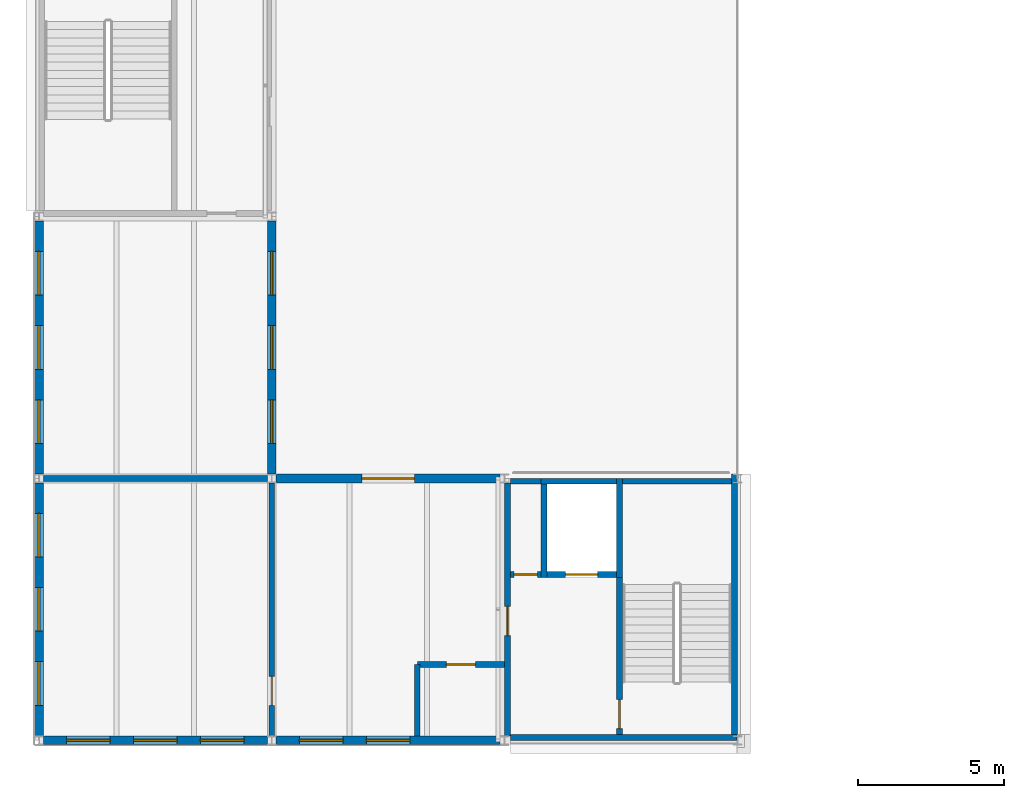
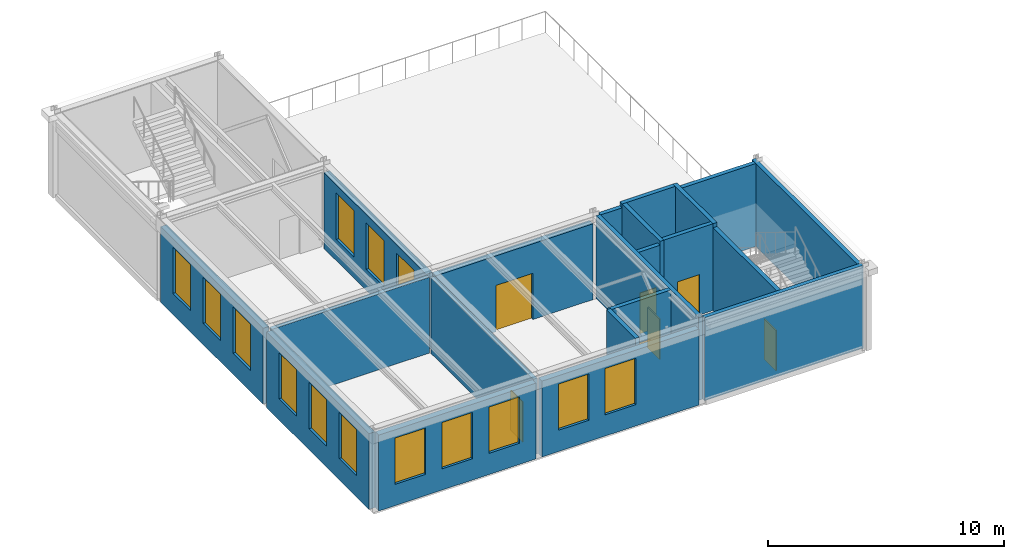
# One storey, part 87 of 149: 21 walls, 14 windows, 7 doors, 21 openings.
"""IFC4 building model written with IfcOpenShell, lengths in metres."""

import ifcopenshell
import ifcopenshell.guid

model = None  # the IFC model being written
_history = None  # IfcOwnerHistory: only IFC2X3 demands one
_inside = {}  # id of a spatial element -> (the spatial element, [elements in it])
_under = {}  # id of a project, library or spatial element -> (it, [spatial elements below it])
_declared = {}  # id of a project -> (the project, [libraries it declares])
_typed = {}  # id of a type object -> (the type object, [elements of that type])
_made_of = {}  # id of a material, layer set ... -> (it, [elements and type objects made of it])


def new_model(schema):
    """Start an empty IFC model of exactly this schema.

    Asked for "IFC4X3", IfcOpenShell would pick the latest addendum, in which some entities
    have other attributes; the version numbers below select the first issue.
    IFC2X3 requires an IfcOwnerHistory on every rooted entity: one is made here for all.
    """
    global model, _history
    if schema == "IFC4X3":
        model = ifcopenshell.file(schema_version=(4, 3, 0, 0))
    else:
        model = ifcopenshell.file(schema=schema)
    _inside.clear()
    _under.clear()
    _declared.clear()
    _typed.clear()
    _made_of.clear()
    _history = None
    if model.schema == "IFC2X3":
        org = make("IfcOrganization", Name="unknown")
        user = make(
            "IfcPersonAndOrganization",
            ThePerson=make("IfcPerson", FamilyName="unknown"),
            TheOrganization=org,
        )
        app = make(
            "IfcApplication",
            ApplicationDeveloper=org,
            Version="unknown",
            ApplicationFullName="unknown",
            ApplicationIdentifier="unknown",
        )
        _history = make(
            "IfcOwnerHistory",
            OwningUser=user,
            OwningApplication=app,
            ChangeAction="ADDED",
            CreationDate=0,
        )
    return model


def make(cls, **values):
    """One entity of the class cls with the attributes given. An attribute that is None is left unset."""
    return model.create_entity(
        cls, **{name: value for name, value in values.items() if value is not None}
    )


def rooted(cls, **values):
    """An entity with a GlobalId (a new one), such as an element, a storey or a relation."""
    return make(cls, GlobalId=ifcopenshell.guid.new(), OwnerHistory=_history, **values)


def si_unit(unit_type, name, prefix=None):
    """IfcSIUnit, for example si_unit("LENGTHUNIT", "METRE", prefix="MILLI")."""
    return make("IfcSIUnit", UnitType=unit_type, Prefix=prefix, Name=name)


def assignment(units):
    """IfcUnitAssignment: the units of a project."""
    return None if units is None else make("IfcUnitAssignment", Units=units)


def point(xyz):
    """IfcCartesianPoint."""
    return None if xyz is None else make("IfcCartesianPoint", Coordinates=xyz)


def direction(xyz):
    """IfcDirection."""
    return None if xyz is None else make("IfcDirection", DirectionRatios=xyz)


def frame(location, z_axis=None, x_axis=None):
    """IfcAxis2Placement3D, a coordinate frame: its origin and axes. An axis left out is left unset."""
    return make(
        "IfcAxis2Placement3D",
        Location=point(location),
        Axis=direction(z_axis),
        RefDirection=direction(x_axis),
    )


def frame_2d(location, x_axis=None):
    """IfcAxis2Placement2D, a coordinate frame in the plane: its origin and x axis."""
    return make(
        "IfcAxis2Placement2D", Location=point(location), RefDirection=direction(x_axis)
    )


def origin():
    """The frame at (0, 0, 0) with its axes left unset."""
    return frame((0.0, 0.0, 0.0))


def place(relative_to, where):
    """IfcLocalPlacement: puts the frame where relative to a parent placement (None: the world)."""
    return make(
        "IfcLocalPlacement", PlacementRelTo=relative_to, RelativePlacement=where
    )


def context(
    kind, dimensions, precision=None, world=None, true_north=None, identifier=None
):
    """IfcGeometricRepresentationContext, for example the 3D "Model" context."""
    return make(
        "IfcGeometricRepresentationContext",
        ContextIdentifier=identifier,
        ContextType=kind,
        CoordinateSpaceDimension=dimensions,
        Precision=precision,
        WorldCoordinateSystem=world,
        TrueNorth=true_north,
    )


def subcontext(parent, identifier, kind, view, scale=None):
    """IfcGeometricRepresentationSubContext, for example "Body" below "Model"."""
    return make(
        "IfcGeometricRepresentationSubContext",
        ContextIdentifier=identifier,
        ContextType=kind,
        ParentContext=parent,
        TargetScale=scale,
        TargetView=view,
    )


def project(units=None, contexts=None):
    """IfcProject with its units and contexts."""
    return rooted(
        "IfcProject",
        Name="project",
        RepresentationContexts=contexts,
        UnitsInContext=assignment(units),
    )


def spatial(cls, under=None, at=None, **own):
    """A site, building, storey or space (cls), placed at a placement, below another one or the project."""
    s = rooted(cls, ObjectPlacement=at, **own)
    if under is not None:
        _under.setdefault(under.id(), (under, []))[1].append(s)
    return s


def profile(cls, at=None, kind="AREA", **sizes):
    """A parametric profile (cls). Its sizes go by their IFC names, for example OverallWidth=200.0."""
    return make(cls, ProfileType=kind, Position=at, **sizes)


def rectangle(**sizes):
    """IfcRectangleProfileDef."""
    return profile("IfcRectangleProfileDef", **sizes)


def extrude(swept, where, along, depth):
    """IfcExtrudedAreaSolid: the profile swept, set in the frame where, extruded along a direction by depth."""
    return make(
        "IfcExtrudedAreaSolid",
        SweptArea=swept,
        Position=where,
        ExtrudedDirection=direction(along),
        Depth=depth,
    )


def shape(context_of_items, identifier, shape_type, items):
    """IfcShapeRepresentation: the items that make up one representation, for example the "Body"."""
    return make(
        "IfcShapeRepresentation",
        ContextOfItems=context_of_items,
        RepresentationIdentifier=identifier,
        RepresentationType=shape_type,
        Items=items,
    )


def material(Name=None, Category=None):
    """IfcMaterial."""
    return make("IfcMaterial", Name=Name, Category=Category)


def layer(
    of_material, thickness, ventilated=None, Name=None, Category=None, Priority=None
):
    """IfcMaterialLayer: one layer of a wall or slab, of a material (None: an air gap)."""
    return make(
        "IfcMaterialLayer",
        Material=of_material,
        LayerThickness=thickness,
        IsVentilated=ventilated,
        Name=Name,
        Category=Category,
        Priority=Priority,
    )


def layer_set(layers, Name=None):
    """IfcMaterialLayerSet."""
    return make("IfcMaterialLayerSet", MaterialLayers=layers, LayerSetName=Name)


def made_of(thing, what):
    """Note that an element or type object is made of a material, layer set ...; save() writes the relation."""
    if what is not None:
        _made_of.setdefault(what.id(), (what, []))[1].append(thing)
    return thing


def type_object(cls, material=None, **own):
    """A type object (cls), such as IfcWallType, which elements share."""
    return made_of(rooted(cls, **own), material)


def element(
    cls,
    number,
    at=None,
    inside=None,
    cuts=None,
    type_object=None,
    material=None,
    context=None,
    identifier="Body",
    shape_type=None,
    held_by="IfcProductDefinitionShape",
    body=None,
    shapes=None,
    **own,
):
    """One element of the class cls, such as IfcWall. Its Tag is "e" and its number.

    at: its placement. inside: the storey or other place that contains it. cuts: it is an
    opening in that element (IfcRelVoidsElement). A single representation is given by context,
    identifier, shape_type and body (its items); several are given by shapes. held_by: the class
    of the entity that holds the representations. save() writes the other relations.
    """
    e = rooted(cls, Tag="e%d" % number, ObjectPlacement=at, **own)
    if body is not None:
        shapes = [shape(context, identifier, shape_type, body)]
    if shapes is not None:
        e.Representation = make(held_by, Representations=shapes)
    if inside is not None:
        _inside.setdefault(inside.id(), (inside, []))[1].append(e)
    if cuts is not None:
        rooted(
            "IfcRelVoidsElement", RelatingBuildingElement=cuts, RelatedOpeningElement=e
        )
    if type_object is not None:
        _typed.setdefault(type_object.id(), (type_object, []))[1].append(e)
    return made_of(e, material)


def fill(opening, filler):
    """IfcRelFillsElement: the door or window that sits in an opening."""
    return rooted(
        "IfcRelFillsElement",
        RelatingOpeningElement=opening,
        RelatedBuildingElement=filler,
    )


def aggregate(whole, parts):
    """IfcRelAggregates: a whole, such as a stair, and the parts it consists of."""
    return rooted("IfcRelAggregates", RelatingObject=whole, RelatedObjects=parts)


def save(model, path):
    """Write the relations noted so far, then the file.

    IfcRelAggregates (storeys below a building ...), IfcRelContainedInSpatialStructure (elements
    in a storey), IfcRelDefinesByType, IfcRelAssociatesMaterial and IfcRelDeclares: one each for
    every whole, place, type object, material and project.
    """
    for whole, parts in _under.values():
        aggregate(whole, parts)
    for where, things in _inside.values():
        rooted(
            "IfcRelContainedInSpatialStructure",
            RelatedElements=things,
            RelatingStructure=where,
        )
    for kind, things in _typed.values():
        rooted("IfcRelDefinesByType", RelatedObjects=things, RelatingType=kind)
    for what, things in _made_of.values():
        rooted("IfcRelAssociatesMaterial", RelatedObjects=things, RelatingMaterial=what)
    for by, libraries in _declared.values():
        rooted("IfcRelDeclares", RelatingContext=by, RelatedDefinitions=libraries)
    model.write(path)


model = new_model("IFC4")

# Units and contexts
model_context = context("Model", 3, precision=1e-05, world=origin(), true_north=direction((0.0, 1.0)))
body_context = subcontext(model_context, "Body", "Model", "MODEL_VIEW")
ifc_project = project(units=[si_unit("LENGTHUNIT", "METRE"), si_unit("AREAUNIT", "SQUARE_METRE"), si_unit("VOLUMEUNIT", "CUBIC_METRE"), si_unit("PLANEANGLEUNIT", "RADIAN"), si_unit("MASSUNIT", "GRAM", prefix="KILO")], contexts=[model_context])

# Site, building, storey
site_placement = place(None, origin())
site = spatial("IfcSite", under=ifc_project, at=site_placement, CompositionType="ELEMENT")
building_placement = place(site_placement, origin())
building = spatial("IfcBuilding", under=site, at=building_placement, Name="Kallimachos Central Library", CompositionType="ELEMENT")
storey_placement = place(building_placement, frame((0.0, 0.0, 9.89990234375)))
storey = spatial("IfcBuildingStorey", under=building, at=storey_placement, Name="L02", CompositionType="ELEMENT", Elevation=9.89990234375)

# Wall, openings, windows
ifc_material_1 = material(Name="Brick masonry with insulation, U 0.45 W/m2K", Category="masonry")
ifc_layer_1 = layer(ifc_material_1, 0.300048828125)
ifc_layer_set_1 = layer_set([ifc_layer_1], Name="Brick wall 300")
wall_type_1 = type_object("IfcWallType", Name="Brick wall 300", PredefinedType="SOLIDWALL", material=ifc_layer_set_1)
wall_1_placement = place(storey_placement, frame((6.14990234375, 9.0, 0.0), z_axis=(0.0, 0.0, 1.0), x_axis=(1.0, 0.0, 0.0)))
wall_1 = element("IfcWall", 1, at=wall_1_placement, inside=storey, type_object=wall_type_1, Name="V6-WAL-L02-005", PredefinedType="SOLIDWALL", context=body_context, shape_type="SweptSolid", body=[
    extrude(rectangle(XDim=7.7001953125, YDim=0.300048828125, at=frame_2d((3.85009765625, 0.0))), origin(), (0.0, 0.0, 1.0), 3.93017578125),
])
opening_1_placement = place(wall_1_placement, frame((0.800048828125, 0.0, 1.10009765625)))
opening_1 = element("IfcOpeningElement", 2, at=opening_1_placement, cuts=wall_1, Name="Opening WT11", PredefinedType="OPENING", context=body_context, shape_type="SweptSolid", body=[
    extrude(rectangle(XDim=1.5, YDim=2.39990234375, at=frame_2d((0.75, 1.199951171875))), frame((0.0, 0.159912109375, 0.0), z_axis=(0.0, -1.0, 0.0), x_axis=(1.0, 0.0, 0.0)), (0.0, 0.0, 1.0), 0.320068359375),
])
opening_2_placement = place(wall_1_placement, frame((3.10009765625, 0.0, 1.10009765625)))
opening_2 = element("IfcOpeningElement", 3, at=opening_2_placement, cuts=wall_1, Name="Opening WT11", PredefinedType="OPENING", context=body_context, shape_type="SweptSolid", body=[
    extrude(rectangle(XDim=1.5, YDim=2.39990234375, at=frame_2d((0.75, 1.199951171875))), frame((0.0, 0.159912109375, 0.0), z_axis=(0.0, -1.0, 0.0), x_axis=(1.0, 0.0, 0.0)), (0.0, 0.0, 1.0), 0.320068359375),
])
opening_3_placement = place(wall_1_placement, frame((5.39990234375, 0.0, 1.10009765625)))
opening_3 = element("IfcOpeningElement", 4, at=opening_3_placement, cuts=wall_1, Name="Opening WT11", PredefinedType="OPENING", context=body_context, shape_type="SweptSolid", body=[
    extrude(rectangle(XDim=1.5, YDim=2.39990234375, at=frame_2d((0.75, 1.199951171875))), frame((0.0, 0.159912109375, 0.0), z_axis=(0.0, -1.0, 0.0), x_axis=(1.0, 0.0, 0.0)), (0.0, 0.0, 1.0), 0.320068359375),
])
ifc_material_2 = material(Name="Anodised aluminium and laminated glass", Category="aluminium")
window_type = type_object("IfcWindowType", Name="Attic window 1500 x 2400", PartitioningType="SINGLE_PANEL", PredefinedType="WINDOW", material=ifc_material_2)
window_1_placement = place(opening_1_placement, origin())
window_1 = element("IfcWindow", 5, at=window_1_placement, inside=storey, type_object=window_type, Name="V6-WIN-L02-001", OverallHeight=2.39990234375, OverallWidth=1.5, PartitioningType="SINGLE_PANEL", PredefinedType="WINDOW", context=body_context, shape_type="SweptSolid", body=[
    extrude(rectangle(XDim=1.5, YDim=2.39990234375, at=frame_2d((0.75, 1.199951171875))), frame((0.0, 0.030029296875, 0.0), z_axis=(0.0, -1.0, 0.0), x_axis=(1.0, 0.0, 0.0)), (0.0, 0.0, 1.0), 0.06005859375),
])
fill(opening_1, window_1)
window_2_placement = place(opening_2_placement, origin())
window_2 = element("IfcWindow", 6, at=window_2_placement, inside=storey, type_object=window_type, Name="V6-WIN-L02-002", OverallHeight=2.39990234375, OverallWidth=1.5, PartitioningType="SINGLE_PANEL", PredefinedType="WINDOW", context=body_context, shape_type="SweptSolid", body=[
    extrude(rectangle(XDim=1.5, YDim=2.39990234375, at=frame_2d((0.75, 1.199951171875))), frame((0.0, 0.030029296875, 0.0), z_axis=(0.0, -1.0, 0.0), x_axis=(1.0, 0.0, 0.0)), (0.0, 0.0, 1.0), 0.06005859375),
])
fill(opening_2, window_2)
window_3_placement = place(opening_3_placement, origin())
window_3 = element("IfcWindow", 7, at=window_3_placement, inside=storey, type_object=window_type, Name="V6-WIN-L02-003", OverallHeight=2.39990234375, OverallWidth=1.5, PartitioningType="SINGLE_PANEL", PredefinedType="WINDOW", context=body_context, shape_type="SweptSolid", body=[
    extrude(rectangle(XDim=1.5, YDim=2.39990234375, at=frame_2d((0.75, 1.199951171875))), frame((0.0, 0.030029296875, 0.0), z_axis=(0.0, -1.0, 0.0), x_axis=(1.0, 0.0, 0.0)), (0.0, 0.0, 1.0), 0.06005859375),
])
fill(opening_3, window_3)

wall_2_placement = place(storey_placement, frame((14.14990234375, 9.0, 0.0), z_axis=(0.0, 0.0, 1.0), x_axis=(1.0, 0.0, 0.0)))
wall_2 = element("IfcWall", 8, at=wall_2_placement, inside=storey, type_object=wall_type_1, Name="V6-WAL-L02-006", PredefinedType="SOLIDWALL", context=body_context, shape_type="SweptSolid", body=[
    extrude(rectangle(XDim=7.7001953125, YDim=0.300048828125, at=frame_2d((3.85009765625, 0.0))), origin(), (0.0, 0.0, 1.0), 3.93017578125),
])
opening_4_placement = place(wall_2_placement, frame((0.800048828125, 0.0, 1.10009765625)))
opening_4 = element("IfcOpeningElement", 9, at=opening_4_placement, cuts=wall_2, Name="Opening WT11", PredefinedType="OPENING", context=body_context, shape_type="SweptSolid", body=[
    extrude(rectangle(XDim=1.5, YDim=2.39990234375, at=frame_2d((0.75, 1.199951171875))), frame((0.0, 0.159912109375, 0.0), z_axis=(0.0, -1.0, 0.0), x_axis=(1.0, 0.0, 0.0)), (0.0, 0.0, 1.0), 0.320068359375),
])
opening_5_placement = place(wall_2_placement, frame((3.10009765625, 0.0, 1.10009765625)))
opening_5 = element("IfcOpeningElement", 10, at=opening_5_placement, cuts=wall_2, Name="Opening WT11", PredefinedType="OPENING", context=body_context, shape_type="SweptSolid", body=[
    extrude(rectangle(XDim=1.5, YDim=2.39990234375, at=frame_2d((0.75, 1.199951171875))), frame((0.0, 0.159912109375, 0.0), z_axis=(0.0, -1.0, 0.0), x_axis=(1.0, 0.0, 0.0)), (0.0, 0.0, 1.0), 0.320068359375),
])
window_4_placement = place(opening_4_placement, origin())
window_4 = element("IfcWindow", 11, at=window_4_placement, inside=storey, type_object=window_type, Name="V6-WIN-L02-004", OverallHeight=2.39990234375, OverallWidth=1.5, PartitioningType="SINGLE_PANEL", PredefinedType="WINDOW", context=body_context, shape_type="SweptSolid", body=[
    extrude(rectangle(XDim=1.5, YDim=2.39990234375, at=frame_2d((0.75, 1.199951171875))), frame((0.0, 0.030029296875, 0.0), z_axis=(0.0, -1.0, 0.0), x_axis=(1.0, 0.0, 0.0)), (0.0, 0.0, 1.0), 0.06005859375),
])
fill(opening_4, window_4)
window_5_placement = place(opening_5_placement, origin())
window_5 = element("IfcWindow", 12, at=window_5_placement, inside=storey, type_object=window_type, Name="V6-WIN-L02-005", OverallHeight=2.39990234375, OverallWidth=1.5, PartitioningType="SINGLE_PANEL", PredefinedType="WINDOW", context=body_context, shape_type="SweptSolid", body=[
    extrude(rectangle(XDim=1.5, YDim=2.39990234375, at=frame_2d((0.75, 1.199951171875))), frame((0.0, 0.030029296875, 0.0), z_axis=(0.0, -1.0, 0.0), x_axis=(1.0, 0.0, 0.0)), (0.0, 0.0, 1.0), 0.06005859375),
])
fill(opening_5, window_5)

wall_3_placement = place(storey_placement, frame((6.0, 9.14990234375, 0.0), z_axis=(0.0, 0.0, 1.0), x_axis=(0.0, 1.0, 0.0)))
wall_3 = element("IfcWall", 13, at=wall_3_placement, inside=storey, type_object=wall_type_1, Name="V6-WAL-L02-007", PredefinedType="SOLIDWALL", context=body_context, shape_type="SweptSolid", body=[
    extrude(rectangle(XDim=8.7001953125, YDim=0.300048828125, at=frame_2d((4.35009765625, 0.0))), origin(), (0.0, 0.0, 1.0), 3.93017578125),
])
opening_6_placement = place(wall_3_placement, frame((1.050048828125, 0.0, 1.10009765625)))
opening_6 = element("IfcOpeningElement", 14, at=opening_6_placement, cuts=wall_3, Name="Opening WT11", PredefinedType="OPENING", context=body_context, shape_type="SweptSolid", body=[
    extrude(rectangle(XDim=1.5, YDim=2.39990234375, at=frame_2d((0.75, 1.199951171875))), frame((0.0, 0.159912109375, 0.0), z_axis=(0.0, -1.0, 0.0), x_axis=(1.0, 0.0, 0.0)), (0.0, 0.0, 1.0), 0.320068359375),
])
opening_7_placement = place(wall_3_placement, frame((3.60009765625, 0.0, 1.10009765625)))
opening_7 = element("IfcOpeningElement", 15, at=opening_7_placement, cuts=wall_3, Name="Opening WT11", PredefinedType="OPENING", context=body_context, shape_type="SweptSolid", body=[
    extrude(rectangle(XDim=1.5, YDim=2.39990234375, at=frame_2d((0.75, 1.199951171875))), frame((0.0, 0.159912109375, 0.0), z_axis=(0.0, -1.0, 0.0), x_axis=(1.0, 0.0, 0.0)), (0.0, 0.0, 1.0), 0.320068359375),
])
opening_8_placement = place(wall_3_placement, frame((6.14990234375, 0.0, 1.10009765625)))
opening_8 = element("IfcOpeningElement", 16, at=opening_8_placement, cuts=wall_3, Name="Opening WT11", PredefinedType="OPENING", context=body_context, shape_type="SweptSolid", body=[
    extrude(rectangle(XDim=1.5, YDim=2.39990234375, at=frame_2d((0.75, 1.199951171875))), frame((0.0, 0.159912109375, 0.0), z_axis=(0.0, -1.0, 0.0), x_axis=(1.0, 0.0, 0.0)), (0.0, 0.0, 1.0), 0.320068359375),
])
window_6_placement = place(opening_6_placement, origin())
window_6 = element("IfcWindow", 17, at=window_6_placement, inside=storey, type_object=window_type, Name="V6-WIN-L02-006", OverallHeight=2.39990234375, OverallWidth=1.5, PartitioningType="SINGLE_PANEL", PredefinedType="WINDOW", context=body_context, shape_type="SweptSolid", body=[
    extrude(rectangle(XDim=1.5, YDim=2.39990234375, at=frame_2d((0.75, 1.199951171875))), frame((0.0, 0.030029296875, 0.0), z_axis=(0.0, -1.0, 0.0), x_axis=(1.0, 0.0, 0.0)), (0.0, 0.0, 1.0), 0.06005859375),
])
fill(opening_6, window_6)
window_7_placement = place(opening_7_placement, origin())
window_7 = element("IfcWindow", 18, at=window_7_placement, inside=storey, type_object=window_type, Name="V6-WIN-L02-007", OverallHeight=2.39990234375, OverallWidth=1.5, PartitioningType="SINGLE_PANEL", PredefinedType="WINDOW", context=body_context, shape_type="SweptSolid", body=[
    extrude(rectangle(XDim=1.5, YDim=2.39990234375, at=frame_2d((0.75, 1.199951171875))), frame((0.0, 0.030029296875, 0.0), z_axis=(0.0, -1.0, 0.0), x_axis=(1.0, 0.0, 0.0)), (0.0, 0.0, 1.0), 0.06005859375),
])
fill(opening_7, window_7)
window_8_placement = place(opening_8_placement, origin())
window_8 = element("IfcWindow", 19, at=window_8_placement, inside=storey, type_object=window_type, Name="V6-WIN-L02-008", OverallHeight=2.39990234375, OverallWidth=1.5, PartitioningType="SINGLE_PANEL", PredefinedType="WINDOW", context=body_context, shape_type="SweptSolid", body=[
    extrude(rectangle(XDim=1.5, YDim=2.39990234375, at=frame_2d((0.75, 1.199951171875))), frame((0.0, 0.030029296875, 0.0), z_axis=(0.0, -1.0, 0.0), x_axis=(1.0, 0.0, 0.0)), (0.0, 0.0, 1.0), 0.06005859375),
])
fill(opening_8, window_8)

wall_4_placement = place(storey_placement, frame((6.0, 18.14990234375, 0.0), z_axis=(0.0, 0.0, 1.0), x_axis=(0.0, 1.0, 0.0)))
wall_4 = element("IfcWall", 20, at=wall_4_placement, inside=storey, type_object=wall_type_1, Name="V6-WAL-L02-008", PredefinedType="SOLIDWALL", context=body_context, shape_type="SweptSolid", body=[
    extrude(rectangle(XDim=8.7001953125, YDim=0.300048828125, at=frame_2d((4.35009765625, 0.0))), origin(), (0.0, 0.0, 1.0), 3.93017578125),
])
opening_9_placement = place(wall_4_placement, frame((1.050048828125, 0.0, 1.10009765625)))
opening_9 = element("IfcOpeningElement", 21, at=opening_9_placement, cuts=wall_4, Name="Opening WT11", PredefinedType="OPENING", context=body_context, shape_type="SweptSolid", body=[
    extrude(rectangle(XDim=1.5, YDim=2.39990234375, at=frame_2d((0.75, 1.199951171875))), frame((0.0, 0.159912109375, 0.0), z_axis=(0.0, -1.0, 0.0), x_axis=(1.0, 0.0, 0.0)), (0.0, 0.0, 1.0), 0.320068359375),
])
opening_10_placement = place(wall_4_placement, frame((3.60009765625, 0.0, 1.10009765625)))
opening_10 = element("IfcOpeningElement", 22, at=opening_10_placement, cuts=wall_4, Name="Opening WT11", PredefinedType="OPENING", context=body_context, shape_type="SweptSolid", body=[
    extrude(rectangle(XDim=1.5, YDim=2.39990234375, at=frame_2d((0.75, 1.199951171875))), frame((0.0, 0.159912109375, 0.0), z_axis=(0.0, -1.0, 0.0), x_axis=(1.0, 0.0, 0.0)), (0.0, 0.0, 1.0), 0.320068359375),
])
opening_11_placement = place(wall_4_placement, frame((6.14990234375, 0.0, 1.10009765625)))
opening_11 = element("IfcOpeningElement", 23, at=opening_11_placement, cuts=wall_4, Name="Opening WT11", PredefinedType="OPENING", context=body_context, shape_type="SweptSolid", body=[
    extrude(rectangle(XDim=1.5, YDim=2.39990234375, at=frame_2d((0.75, 1.199951171875))), frame((0.0, 0.159912109375, 0.0), z_axis=(0.0, -1.0, 0.0), x_axis=(1.0, 0.0, 0.0)), (0.0, 0.0, 1.0), 0.320068359375),
])
window_9_placement = place(opening_9_placement, origin())
window_9 = element("IfcWindow", 24, at=window_9_placement, inside=storey, type_object=window_type, Name="V6-WIN-L02-009", OverallHeight=2.39990234375, OverallWidth=1.5, PartitioningType="SINGLE_PANEL", PredefinedType="WINDOW", context=body_context, shape_type="SweptSolid", body=[
    extrude(rectangle(XDim=1.5, YDim=2.39990234375, at=frame_2d((0.75, 1.199951171875))), frame((0.0, 0.030029296875, 0.0), z_axis=(0.0, -1.0, 0.0), x_axis=(1.0, 0.0, 0.0)), (0.0, 0.0, 1.0), 0.06005859375),
])
fill(opening_9, window_9)
window_10_placement = place(opening_10_placement, origin())
window_10 = element("IfcWindow", 25, at=window_10_placement, inside=storey, type_object=window_type, Name="V6-WIN-L02-010", OverallHeight=2.39990234375, OverallWidth=1.5, PartitioningType="SINGLE_PANEL", PredefinedType="WINDOW", context=body_context, shape_type="SweptSolid", body=[
    extrude(rectangle(XDim=1.5, YDim=2.39990234375, at=frame_2d((0.75, 1.199951171875))), frame((0.0, 0.030029296875, 0.0), z_axis=(0.0, -1.0, 0.0), x_axis=(1.0, 0.0, 0.0)), (0.0, 0.0, 1.0), 0.06005859375),
])
fill(opening_10, window_10)
window_11_placement = place(opening_11_placement, origin())
window_11 = element("IfcWindow", 26, at=window_11_placement, inside=storey, type_object=window_type, Name="V6-WIN-L02-011", OverallHeight=2.39990234375, OverallWidth=1.5, PartitioningType="SINGLE_PANEL", PredefinedType="WINDOW", context=body_context, shape_type="SweptSolid", body=[
    extrude(rectangle(XDim=1.5, YDim=2.39990234375, at=frame_2d((0.75, 1.199951171875))), frame((0.0, 0.030029296875, 0.0), z_axis=(0.0, -1.0, 0.0), x_axis=(1.0, 0.0, 0.0)), (0.0, 0.0, 1.0), 0.06005859375),
])
fill(opening_11, window_11)

wall_5_placement = place(storey_placement, frame((14.0, 18.14990234375, 0.0), z_axis=(0.0, 0.0, 1.0), x_axis=(0.0, 1.0, 0.0)))
wall_5 = element("IfcWall", 27, at=wall_5_placement, inside=storey, type_object=wall_type_1, Name="V6-WAL-L02-009", PredefinedType="SOLIDWALL", context=body_context, shape_type="SweptSolid", body=[
    extrude(rectangle(XDim=8.7001953125, YDim=0.300048828125, at=frame_2d((4.35009765625, 0.0))), origin(), (0.0, 0.0, 1.0), 3.93017578125),
])
opening_12_placement = place(wall_5_placement, frame((1.050048828125, 0.0, 1.10009765625)))
opening_12 = element("IfcOpeningElement", 28, at=opening_12_placement, cuts=wall_5, Name="Opening WT11", PredefinedType="OPENING", context=body_context, shape_type="SweptSolid", body=[
    extrude(rectangle(XDim=1.5, YDim=2.39990234375, at=frame_2d((0.75, 1.199951171875))), frame((0.0, 0.159912109375, 0.0), z_axis=(0.0, -1.0, 0.0), x_axis=(1.0, 0.0, 0.0)), (0.0, 0.0, 1.0), 0.320068359375),
])
opening_13_placement = place(wall_5_placement, frame((3.60009765625, 0.0, 1.10009765625)))
opening_13 = element("IfcOpeningElement", 29, at=opening_13_placement, cuts=wall_5, Name="Opening WT11", PredefinedType="OPENING", context=body_context, shape_type="SweptSolid", body=[
    extrude(rectangle(XDim=1.5, YDim=2.39990234375, at=frame_2d((0.75, 1.199951171875))), frame((0.0, 0.159912109375, 0.0), z_axis=(0.0, -1.0, 0.0), x_axis=(1.0, 0.0, 0.0)), (0.0, 0.0, 1.0), 0.320068359375),
])
opening_14_placement = place(wall_5_placement, frame((6.14990234375, 0.0, 1.10009765625)))
opening_14 = element("IfcOpeningElement", 30, at=opening_14_placement, cuts=wall_5, Name="Opening WT11", PredefinedType="OPENING", context=body_context, shape_type="SweptSolid", body=[
    extrude(rectangle(XDim=1.5, YDim=2.39990234375, at=frame_2d((0.75, 1.199951171875))), frame((0.0, 0.159912109375, 0.0), z_axis=(0.0, -1.0, 0.0), x_axis=(1.0, 0.0, 0.0)), (0.0, 0.0, 1.0), 0.320068359375),
])
window_12_placement = place(opening_12_placement, origin())
window_12 = element("IfcWindow", 31, at=window_12_placement, inside=storey, type_object=window_type, Name="V6-WIN-L02-012", OverallHeight=2.39990234375, OverallWidth=1.5, PartitioningType="SINGLE_PANEL", PredefinedType="WINDOW", context=body_context, shape_type="SweptSolid", body=[
    extrude(rectangle(XDim=1.5, YDim=2.39990234375, at=frame_2d((0.75, 1.199951171875))), frame((0.0, 0.030029296875, 0.0), z_axis=(0.0, -1.0, 0.0), x_axis=(1.0, 0.0, 0.0)), (0.0, 0.0, 1.0), 0.06005859375),
])
fill(opening_12, window_12)
window_13_placement = place(opening_13_placement, origin())
window_13 = element("IfcWindow", 32, at=window_13_placement, inside=storey, type_object=window_type, Name="V6-WIN-L02-013", OverallHeight=2.39990234375, OverallWidth=1.5, PartitioningType="SINGLE_PANEL", PredefinedType="WINDOW", context=body_context, shape_type="SweptSolid", body=[
    extrude(rectangle(XDim=1.5, YDim=2.39990234375, at=frame_2d((0.75, 1.199951171875))), frame((0.0, 0.030029296875, 0.0), z_axis=(0.0, -1.0, 0.0), x_axis=(1.0, 0.0, 0.0)), (0.0, 0.0, 1.0), 0.06005859375),
])
fill(opening_13, window_13)
window_14_placement = place(opening_14_placement, origin())
window_14 = element("IfcWindow", 33, at=window_14_placement, inside=storey, type_object=window_type, Name="V6-WIN-L02-014", OverallHeight=2.39990234375, OverallWidth=1.5, PartitioningType="SINGLE_PANEL", PredefinedType="WINDOW", context=body_context, shape_type="SweptSolid", body=[
    extrude(rectangle(XDim=1.5, YDim=2.39990234375, at=frame_2d((0.75, 1.199951171875))), frame((0.0, 0.030029296875, 0.0), z_axis=(0.0, -1.0, 0.0), x_axis=(1.0, 0.0, 0.0)), (0.0, 0.0, 1.0), 0.06005859375),
])
fill(opening_14, window_14)

# Wall, opening, door
wall_6_placement = place(storey_placement, frame((14.14990234375, 18.0, 0.0), z_axis=(0.0, 0.0, 1.0), x_axis=(1.0, 0.0, 0.0)))
wall_6 = element("IfcWall", 34, at=wall_6_placement, inside=storey, type_object=wall_type_1, Name="V6-WAL-L02-010", PredefinedType="SOLIDWALL", context=body_context, shape_type="SweptSolid", body=[
    extrude(rectangle(XDim=7.7001953125, YDim=0.300048828125, at=frame_2d((3.85009765625, 0.0))), origin(), (0.0, 0.0, 1.0), 3.93017578125),
])
opening_15_placement = place(wall_6_placement, frame((2.949951171875, 0.0, 0.0)))
opening_15 = element("IfcOpeningElement", 35, at=opening_15_placement, cuts=wall_6, Name="Opening D77", PredefinedType="OPENING", context=body_context, shape_type="SweptSolid", body=[
    extrude(rectangle(XDim=1.800048828125, YDim=2.39990234375, at=frame_2d((0.89990234375, 1.199951171875))), frame((0.0, 0.159912109375, 0.0), z_axis=(0.0, -1.0, 0.0), x_axis=(1.0, 0.0, 0.0)), (0.0, 0.0, 1.0), 0.320068359375),
])
ifc_material_3 = material(Name="Anodised aluminium and laminated glass", Category="aluminium")
door_type_1 = type_object("IfcDoorType", Name="Garden door 1800 x 2400", OperationType="DOUBLE_DOOR_SINGLE_SWING", PredefinedType="DOOR", material=ifc_material_3)
door_1_placement = place(opening_15_placement, origin())
door_1 = element("IfcDoor", 36, at=door_1_placement, inside=storey, type_object=door_type_1, Name="Garden Door", OperationType="DOUBLE_DOOR_SINGLE_SWING", OverallHeight=2.39990234375, OverallWidth=1.800048828125, PredefinedType="DOOR", context=body_context, shape_type="SweptSolid", body=[
    extrude(rectangle(XDim=1.800048828125, YDim=2.39990234375, at=frame_2d((0.89990234375, 1.199951171875))), frame((0.0, 0.02490234375, 0.0), z_axis=(0.0, -1.0, 0.0), x_axis=(1.0, 0.0, 0.0)), (0.0, 0.0, 1.0), 0.050048828125),
])
fill(opening_15, door_1)

ifc_material_4 = material(Name="Concrete C30/37", Category="concrete")
ifc_layer_2 = layer(ifc_material_4, 0.199951171875)
ifc_layer_set_2 = layer_set([ifc_layer_2], Name="Core wall 200")
wall_type_2 = type_object("IfcWallType", Name="Core wall 200", PredefinedType="SOLIDWALL", material=ifc_layer_set_2)
wall_7_placement = place(storey_placement, frame((22.10009765625, 9.14990234375, 0.0), z_axis=(0.0, 0.0, 1.0), x_axis=(0.0, 1.0, 0.0)))
wall_7 = element("IfcWall", 37, at=wall_7_placement, inside=storey, type_object=wall_type_2, Name="V6-WAL-L02-013", PredefinedType="SOLIDWALL", context=body_context, shape_type="SweptSolid", body=[
    extrude(rectangle(XDim=8.7001953125, YDim=0.199951171875, at=frame_2d((4.35009765625, 0.0))), origin(), (0.0, 0.0, 1.0), 4.300048828125),
])
opening_16_placement = place(wall_7_placement, frame((3.449951171875, 0.0, 0.0)))
opening_16 = element("IfcOpeningElement", 38, at=opening_16_placement, cuts=wall_7, Name="Opening D357", PredefinedType="OPENING", context=body_context, shape_type="SweptSolid", body=[
    extrude(rectangle(XDim=1.0, YDim=2.10009765625, at=frame_2d((0.5, 1.050048828125))), frame((0.0, 0.10986328125, 0.0), z_axis=(0.0, -1.0, 0.0), x_axis=(1.0, 0.0, 0.0)), (0.0, 0.0, 1.0), 0.219970703125),
])
ifc_material_5 = material(Name="Oak timber", Category="wood")
door_type_2 = type_object("IfcDoorType", Name="Single door 1000 x 2100", OperationType="NOTDEFINED", PredefinedType="DOOR", material=ifc_material_5)
door_2_placement = place(opening_16_placement, frame((1.0, 0.0, 0.0), z_axis=(0.0, 0.0, 1.0), x_axis=(-1.0, 0.0, 0.0)))
door_2 = element("IfcDoor", 39, at=door_2_placement, inside=storey, type_object=door_type_2, Name="Stair Lobby Door", OperationType="SINGLE_SWING_RIGHT", OverallHeight=2.10009765625, OverallWidth=1.0, PredefinedType="DOOR", context=body_context, shape_type="SweptSolid", body=[
    extrude(rectangle(XDim=1.0, YDim=2.10009765625, at=frame_2d((0.5, 1.050048828125))), frame((0.0, 0.02490234375, 0.0), z_axis=(0.0, -1.0, 0.0), x_axis=(1.0, 0.0, 0.0)), (0.0, 0.0, 1.0), 0.050048828125),
])
fill(opening_16, door_2)

# Walls
wall_8_placement = place(storey_placement, frame((22.199951171875, 17.89990234375, 0.0), z_axis=(0.0, 0.0, 1.0), x_axis=(1.0, 0.0, 0.0)))
element("IfcWall", 40, at=wall_8_placement, inside=storey, type_object=wall_type_2, Name="V6-WAL-L02-014", PredefinedType="SOLIDWALL", context=body_context, shape_type="SweptSolid", body=[
    extrude(rectangle(XDim=1.050048828125, YDim=0.199951171875, at=frame_2d((0.52490234375, 0.0))), origin(), (0.0, 0.0, 1.0), 4.300048828125),
])
wall_9_placement = place(storey_placement, frame((25.85009765625, 17.89990234375, 0.0), z_axis=(0.0, 0.0, 1.0), x_axis=(1.0, 0.0, 0.0)))
element("IfcWall", 41, at=wall_9_placement, inside=storey, type_object=wall_type_2, Name="V6-WAL-L02-015", PredefinedType="SOLIDWALL", context=body_context, shape_type="SweptSolid", body=[
    extrude(rectangle(XDim=3.949951171875, YDim=0.199951171875, at=frame_2d((1.97509765625, 0.0))), origin(), (0.0, 0.0, 1.0), 4.300048828125),
])

# Wall, opening, door
wall_10_placement = place(storey_placement, frame((25.949951171875, 9.199951171875, 0.0), z_axis=(0.0, 0.0, 1.0), x_axis=(0.0, 1.0, 0.0)))
wall_10 = element("IfcWall", 42, at=wall_10_placement, inside=storey, type_object=wall_type_2, Name="V6-WAL-L02-016", PredefinedType="SOLIDWALL", context=body_context, shape_type="SweptSolid", body=[
    extrude(rectangle(XDim=5.400146484375, YDim=0.199951171875, at=frame_2d((2.7001953125, 0.0))), origin(), (0.0, 0.0, 1.0), 4.300048828125),
])
opening_17_placement = place(wall_10_placement, frame((0.199951171875, 0.0, 0.0)))
opening_17 = element("IfcOpeningElement", 43, at=opening_17_placement, cuts=wall_10, Name="Opening D349", PredefinedType="OPENING", context=body_context, shape_type="SweptSolid", body=[
    extrude(rectangle(XDim=1.0, YDim=2.10009765625, at=frame_2d((0.5, 1.050048828125))), frame((0.0, 0.10986328125, 0.0), z_axis=(0.0, -1.0, 0.0), x_axis=(1.0, 0.0, 0.0)), (0.0, 0.0, 1.0), 0.219970703125),
])
door_3_placement = place(opening_17_placement, origin())
door_3 = element("IfcDoor", 44, at=door_3_placement, inside=storey, type_object=door_type_2, Name="Stair Door", OperationType="SINGLE_SWING_RIGHT", OverallHeight=2.10009765625, OverallWidth=1.0, PredefinedType="DOOR", context=body_context, shape_type="SweptSolid", body=[
    extrude(rectangle(XDim=1.0, YDim=2.10009765625, at=frame_2d((0.5, 1.050048828125))), frame((0.0, 0.02490234375, 0.0), z_axis=(0.0, -1.0, 0.0), x_axis=(1.0, 0.0, 0.0)), (0.0, 0.0, 1.0), 0.050048828125),
])
fill(opening_17, door_3)

ifc_material_6 = material(Name="Concrete C30/37", Category="concrete")
ifc_layer_3 = layer(ifc_material_6, 0.199951171875)
ifc_layer_set_3 = layer_set([ifc_layer_3], Name="Core wall 200, non-load-bearing")
wall_type_3 = type_object("IfcWallType", Name="Core wall 200, non-load-bearing", PredefinedType="SOLIDWALL", material=ifc_layer_set_3)
wall_11_placement = place(storey_placement, frame((22.199951171875, 14.699951171875, 0.0), z_axis=(0.0, 0.0, 1.0), x_axis=(1.0, 0.0, 0.0)))
wall_11 = element("IfcWall", 45, at=wall_11_placement, inside=storey, type_object=wall_type_3, Name="V6-WAL-L02-017", PredefinedType="SOLIDWALL", context=body_context, shape_type="SweptSolid", body=[
    extrude(rectangle(XDim=1.050048828125, YDim=0.199951171875, at=frame_2d((0.52490234375, 0.0))), origin(), (0.0, 0.0, 1.0), 4.300048828125),
])
opening_18_placement = place(wall_11_placement, frame((0.125, 0.0, 0.0)))
opening_18 = element("IfcOpeningElement", 46, at=opening_18_placement, cuts=wall_11, Name="Opening D350", PredefinedType="OPENING", context=body_context, shape_type="SweptSolid", body=[
    extrude(rectangle(XDim=0.800048828125, YDim=2.10009765625, at=frame_2d((0.39990234375, 1.050048828125))), frame((0.0, 0.10986328125, 0.0), z_axis=(0.0, -1.0, 0.0), x_axis=(1.0, 0.0, 0.0)), (0.0, 0.0, 1.0), 0.219970703125),
])
ifc_material_7 = material(Name="Steel fire door", Category="steel")
door_type_3 = type_object("IfcDoorType", Name="Riser door 800 x 2100", OperationType="NOTDEFINED", PredefinedType="DOOR", material=ifc_material_7)
door_4_placement = place(opening_18_placement, origin())
door_4 = element("IfcDoor", 47, at=door_4_placement, inside=storey, type_object=door_type_3, Name="Riser Door", OperationType="SINGLE_SWING_RIGHT", OverallHeight=2.10009765625, OverallWidth=0.800048828125, PredefinedType="DOOR", context=body_context, shape_type="SweptSolid", body=[
    extrude(rectangle(XDim=0.800048828125, YDim=2.10009765625, at=frame_2d((0.39990234375, 1.050048828125))), frame((0.0, 0.02490234375, 0.0), z_axis=(0.0, -1.0, 0.0), x_axis=(1.0, 0.0, 0.0)), (0.0, 0.0, 1.0), 0.050048828125),
])
fill(opening_18, door_4)

# Wall
ifc_material_8 = material(Name="Concrete C30/37", Category="concrete")
ifc_layer_4 = layer(ifc_material_8, 0.199951171875)
ifc_layer_set_4 = layer_set([ifc_layer_4], Name="Lift shaft wall 200")
wall_type_4 = type_object("IfcWallType", Name="Lift shaft wall 200", PredefinedType="SOLIDWALL", material=ifc_layer_set_4)
wall_12_placement = place(storey_placement, frame((23.25, 17.89990234375, 0.0), z_axis=(0.0, 0.0, 1.0), x_axis=(1.0, 0.0, 0.0)))
element("IfcWall", 48, at=wall_12_placement, inside=storey, type_object=wall_type_4, Name="V6-WAL-L02-001", PredefinedType="SOLIDWALL", context=body_context, shape_type="SweptSolid", body=[
    extrude(rectangle(XDim=2.60009765625, YDim=0.199951171875, at=frame_2d((1.300048828125, 0.0))), origin(), (0.0, 0.0, 1.0), 4.5),
])

# Wall, opening, door
wall_13_placement = place(storey_placement, frame((23.449951171875, 14.699951171875, 0.0), z_axis=(0.0, 0.0, 1.0), x_axis=(1.0, 0.0, 0.0)))
wall_13 = element("IfcWall", 49, at=wall_13_placement, inside=storey, type_object=wall_type_4, Name="V6-WAL-L02-002", PredefinedType="SOLIDWALL", context=body_context, shape_type="SweptSolid", body=[
    extrude(rectangle(XDim=2.400146484375, YDim=0.199951171875, at=frame_2d((1.2001953125, 0.0))), origin(), (0.0, 0.0, 1.0), 4.5),
])
opening_19_placement = place(wall_13_placement, frame((0.64990234375, 0.0, 0.0)))
opening_19 = element("IfcOpeningElement", 50, at=opening_19_placement, cuts=wall_13, Name="Opening LD1100", PredefinedType="OPENING", context=body_context, shape_type="SweptSolid", body=[
    extrude(rectangle(XDim=1.10009765625, YDim=2.10009765625, at=frame_2d((0.550048828125, 1.050048828125))), frame((0.0, 0.10986328125, 0.0), z_axis=(0.0, -1.0, 0.0), x_axis=(1.0, 0.0, 0.0)), (0.0, 0.0, 1.0), 0.219970703125),
])
ifc_material_9 = material(Name="Stainless steel", Category="steel")
door_type_4 = type_object("IfcDoorType", Name="Lift landing door 1100 x 2100", OperationType="SLIDING_TO_LEFT", PredefinedType="DOOR", material=ifc_material_9)
door_5_placement = place(opening_19_placement, origin())
door_5 = element("IfcDoor", 51, at=door_5_placement, inside=storey, type_object=door_type_4, Name="LF14 landing door L02", OperationType="SLIDING_TO_LEFT", OverallHeight=2.10009765625, OverallWidth=1.10009765625, PredefinedType="DOOR", context=body_context, shape_type="SweptSolid", body=[
    extrude(rectangle(XDim=1.10009765625, YDim=2.10009765625, at=frame_2d((0.550048828125, 1.050048828125))), frame((0.0, 0.02490234375, 0.0), z_axis=(0.0, -1.0, 0.0), x_axis=(1.0, 0.0, 0.0)), (0.0, 0.0, 1.0), 0.050048828125),
])
fill(opening_19, door_5)

# Walls
for number, where, z_axis, x_axis, name in (
    (52, (23.35009765625, 14.60009765625, 0.0), (0.0, 0.0, 1.0), (0.0, 1.0, 0.0), "V6-WAL-L02-003"),
    (53, (25.949951171875, 14.60009765625, 0.0), (0.0, 0.0, 1.0), (0.0, 1.0, 0.0), "V6-WAL-L02-004"),
):
    element("IfcWall", number, at=place(storey_placement, frame(where, z_axis=z_axis, x_axis=x_axis)), inside=storey, type_object=wall_type_4, Name=name, PredefinedType="SOLIDWALL", context=body_context, shape_type="SweptSolid", body=[
        extrude(rectangle(XDim=3.39990234375, YDim=0.199951171875, at=frame_2d((1.699951171875, 0.0))), origin(), (0.0, 0.0, 1.0), 4.5),
    ])
ifc_material_10 = material(Name="Plastered block masonry", Category="masonry")
ifc_layer_5 = layer(ifc_material_10, 0.199951171875)
ifc_layer_set_5 = layer_set([ifc_layer_5], Name="Partition 200")
wall_type_5 = type_object("IfcWallType", Name="Partition 200", PredefinedType="PARTITIONING", material=ifc_layer_set_5)
wall_14_placement = place(storey_placement, frame((6.14990234375, 18.0, 0.0), z_axis=(0.0, 0.0, 1.0), x_axis=(1.0, 0.0, 0.0)))
element("IfcWall", 54, at=wall_14_placement, inside=storey, type_object=wall_type_5, Name="V6-WAL-L02-023", PredefinedType="PARTITIONING", context=body_context, shape_type="SweptSolid", body=[
    extrude(rectangle(XDim=7.7001953125, YDim=0.199951171875, at=frame_2d((3.85009765625, 0.0))), origin(), (0.0, 0.0, 1.0), 3.93017578125),
])

# Wall, opening, door
wall_15_placement = place(storey_placement, frame((14.0, 9.14990234375, 0.0), z_axis=(0.0, 0.0, 1.0), x_axis=(0.0, 1.0, 0.0)))
wall_15 = element("IfcWall", 55, at=wall_15_placement, inside=storey, type_object=wall_type_5, Name="V6-WAL-L02-024", PredefinedType="PARTITIONING", context=body_context, shape_type="SweptSolid", body=[
    extrude(rectangle(XDim=8.7001953125, YDim=0.199951171875, at=frame_2d((4.35009765625, 0.0))), origin(), (0.0, 0.0, 1.0), 3.93017578125),
])
opening_20_placement = place(wall_15_placement, frame((1.050048828125, 0.0, 0.0)))
opening_20 = element("IfcOpeningElement", 56, at=opening_20_placement, cuts=wall_15, Name="Opening D368", PredefinedType="OPENING", context=body_context, shape_type="SweptSolid", body=[
    extrude(rectangle(XDim=1.0, YDim=2.10009765625, at=frame_2d((0.5, 1.050048828125))), frame((0.0, 0.10986328125, 0.0), z_axis=(0.0, -1.0, 0.0), x_axis=(1.0, 0.0, 0.0)), (0.0, 0.0, 1.0), 0.219970703125),
])
ifc_material_11 = material(Name="Oak timber", Category="wood")
door_type_5 = type_object("IfcDoorType", Name="Single door 1000 x 2100, EI2 30", OperationType="NOTDEFINED", PredefinedType="DOOR", material=ifc_material_11)
door_6_placement = place(opening_20_placement, frame((1.0, 0.0, 0.0), z_axis=(0.0, 0.0, 1.0), x_axis=(-1.0, 0.0, 0.0)))
door_6 = element("IfcDoor", 57, at=door_6_placement, inside=storey, type_object=door_type_5, Name="Room Door", OperationType="SINGLE_SWING_LEFT", OverallHeight=2.10009765625, OverallWidth=1.0, PredefinedType="DOOR", context=body_context, shape_type="SweptSolid", body=[
    extrude(rectangle(XDim=1.0, YDim=2.10009765625, at=frame_2d((0.5, 1.050048828125))), frame((0.0, 0.02490234375, 0.0), z_axis=(0.0, -1.0, 0.0), x_axis=(1.0, 0.0, 0.0)), (0.0, 0.0, 1.0), 0.050048828125),
])
fill(opening_20, door_6)

# Wall
wall_16_placement = place(storey_placement, frame((19.0, 9.14990234375, 0.0), z_axis=(0.0, 0.0, 1.0), x_axis=(0.0, 1.0, 0.0)))
element("IfcWall", 58, at=wall_16_placement, inside=storey, type_object=wall_type_5, Name="V6-WAL-L02-025", PredefinedType="PARTITIONING", context=body_context, shape_type="SweptSolid", body=[
    extrude(rectangle(XDim=2.4501953125, YDim=0.199951171875, at=frame_2d((1.22509765625, 0.0))), origin(), (0.0, 0.0, 1.0), 4.300048828125),
])

# Wall, opening, door
wall_17_placement = place(storey_placement, frame((19.0, 11.60009765625, 0.0), z_axis=(0.0, 0.0, 1.0), x_axis=(1.0, 0.0, 0.0)))
wall_17 = element("IfcWall", 59, at=wall_17_placement, inside=storey, type_object=wall_type_5, Name="V6-WAL-L02-026", PredefinedType="PARTITIONING", context=body_context, shape_type="SweptSolid", body=[
    extrude(rectangle(XDim=3.0, YDim=0.199951171875, at=frame_2d((1.5, 0.0))), origin(), (0.0, 0.0, 1.0), 4.300048828125),
])
opening_21_placement = place(wall_17_placement, frame((1.0, 0.0, 0.0)))
opening_21 = element("IfcOpeningElement", 60, at=opening_21_placement, cuts=wall_17, Name="Opening D370", PredefinedType="OPENING", context=body_context, shape_type="SweptSolid", body=[
    extrude(rectangle(XDim=1.0, YDim=2.10009765625, at=frame_2d((0.5, 1.050048828125))), frame((0.0, 0.10986328125, 0.0), z_axis=(0.0, -1.0, 0.0), x_axis=(1.0, 0.0, 0.0)), (0.0, 0.0, 1.0), 0.219970703125),
])
door_7_placement = place(opening_21_placement, frame((1.0, 0.0, 0.0), z_axis=(0.0, 0.0, 1.0), x_axis=(-1.0, 0.0, 0.0)))
door_7 = element("IfcDoor", 61, at=door_7_placement, inside=storey, type_object=door_type_5, Name="Accessible WC Door", OperationType="SINGLE_SWING_LEFT", OverallHeight=2.10009765625, OverallWidth=1.0, PredefinedType="DOOR", context=body_context, shape_type="SweptSolid", body=[
    extrude(rectangle(XDim=1.0, YDim=2.10009765625, at=frame_2d((0.5, 1.050048828125))), frame((0.0, 0.02490234375, 0.0), z_axis=(0.0, -1.0, 0.0), x_axis=(1.0, 0.0, 0.0)), (0.0, 0.0, 1.0), 0.050048828125),
])
fill(opening_21, door_7)

# Walls
ifc_material_12 = material(Name="Concrete C30/37", Category="concrete")
ifc_layer_6 = layer(ifc_material_12, 0.199951171875)
ifc_layer_set_6 = layer_set([ifc_layer_6], Name="Stone-clad core wall 200")
wall_type_6 = type_object("IfcWallType", Name="Stone-clad core wall 200", PredefinedType="SOLIDWALL", material=ifc_layer_set_6)
wall_18_placement = place(storey_placement, frame((22.199951171875, 9.10009765625, 0.0), z_axis=(0.0, 0.0, 1.0), x_axis=(1.0, 0.0, 0.0)))
element("IfcWall", 62, at=wall_18_placement, inside=storey, type_object=wall_type_6, Name="V6-WAL-L02-011", PredefinedType="SOLIDWALL", context=body_context, shape_type="SweptSolid", body=[
    extrude(rectangle(XDim=7.7900390625, YDim=0.199951171875, at=frame_2d((3.89501953125, 0.0))), origin(), (0.0, 0.0, 1.0), 4.300048828125),
])
wall_19_placement = place(storey_placement, frame((29.89990234375, 9.199951171875, 0.0), z_axis=(0.0, 0.0, 1.0), x_axis=(0.0, 1.0, 0.0)))
element("IfcWall", 63, at=wall_19_placement, inside=storey, type_object=wall_type_6, Name="V6-WAL-L02-012", PredefinedType="SOLIDWALL", context=body_context, shape_type="SweptSolid", body=[
    extrude(rectangle(XDim=8.949951171875, YDim=0.199951171875, at=frame_2d((4.47509765625, 0.0))), origin(), (0.0, 0.0, 1.0), 4.300048828125),
])

save(model, "model.ifc")
